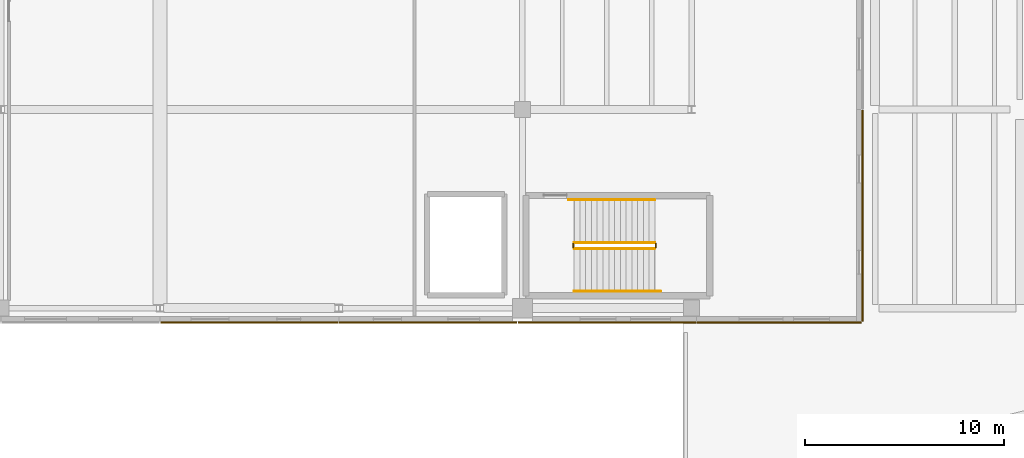
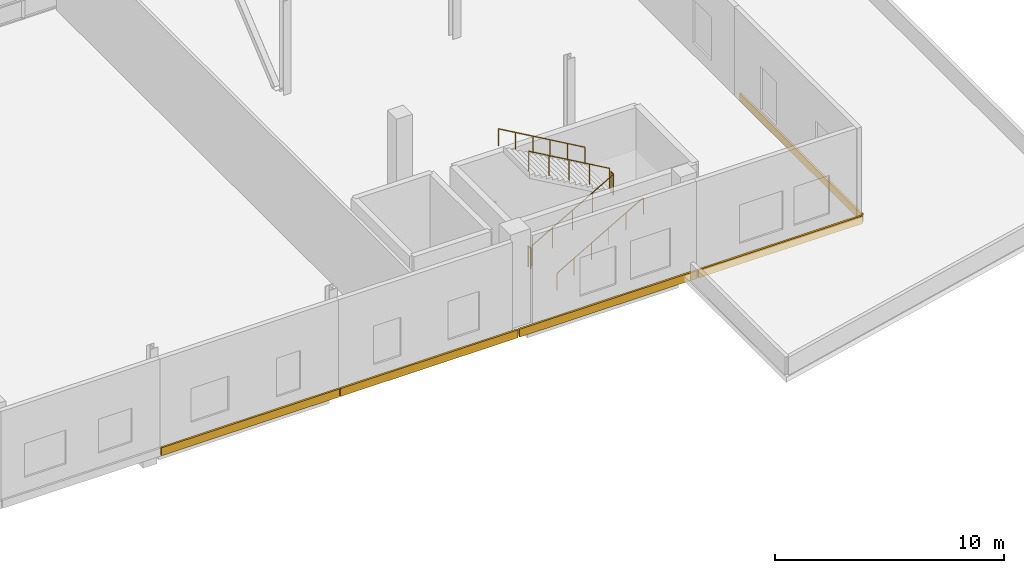
# One storey, part 72 of 73: 6 railings, 5 coverings.
"""IFC4 building model written with IfcOpenShell, lengths in metres."""

from ifc_helpers import new_model, si_unit, direction, frame, origin, origin_2d, place, context, subcontext, project, spatial, rectangle, circle, extrude, material, layer, layer_set, type_object, element, save


model = new_model("IFC4")

# Units and contexts
model_context = context("Model", 3, precision=1e-05, world=origin(), true_north=direction((0.0, 1.0)))
body_context = subcontext(model_context, "Body", "Model", "MODEL_VIEW")
ifc_project = project(units=[si_unit("LENGTHUNIT", "METRE"), si_unit("AREAUNIT", "SQUARE_METRE"), si_unit("VOLUMEUNIT", "CUBIC_METRE"), si_unit("PLANEANGLEUNIT", "RADIAN"), si_unit("MASSUNIT", "GRAM", prefix="KILO")], contexts=[model_context])

# Site, building, storey
site_placement = place(None, origin())
site = spatial("IfcSite", under=ifc_project, at=site_placement, CompositionType="ELEMENT")
building_placement = place(site_placement, origin())
building = spatial("IfcBuilding", under=site, at=building_placement, Name="Trimount Lyric Opera House", CompositionType="ELEMENT")
storey_placement = place(building_placement, frame((0.0, 0.0, 10.0)))
storey = spatial("IfcBuildingStorey", under=building, at=storey_placement, Name="L02", CompositionType="ELEMENT", Elevation=10.0)

# Coverings
ifc_material_1 = material(Name="Architectural Precast Concrete Spandrel Band", Category="concrete")
ifc_layer = layer(ifc_material_1, 0.094970703125)
ifc_layer_set = layer_set([ifc_layer], Name="CLD-WING1")
covering_type = type_object("IfcCoveringType", Name="CLD-WING1", PredefinedType="CLADDING", material=ifc_layer_set)
covering_1_placement = place(storey_placement, frame((165.361572265625, 48.659912109375, -0.369873046875), z_axis=(0.0, 0.0, 1.0), x_axis=(0.0, -1.0, 0.0)))
element("IfcCovering", 1, at=covering_1_placement, inside=storey, type_object=covering_type, Name="L02 precast slab-edge spandrel 229", PredefinedType="CLADDING", context=body_context, shape_type="SweptSolid", body=[
    extrude(rectangle(XDim=10.6201171875, YDim=0.094970703125, at=origin_2d()), origin(), (0.0, 0.0, 1.0), 0.419921875),
])
covering_2_placement = place(storey_placement, frame((161.159912109375, 43.278564453125, -0.369873046875), z_axis=(0.0, 0.0, 1.0), x_axis=(-1.0, 0.0, 0.0)))
element("IfcCovering", 2, at=covering_2_placement, inside=storey, type_object=covering_type, Name="L02 precast slab-edge spandrel 230", PredefinedType="CLADDING", context=body_context, shape_type="SweptSolid", body=[
    extrude(rectangle(XDim=8.260009765625, YDim=0.094970703125, at=origin_2d()), origin(), (0.0, 0.0, 1.0), 0.419921875),
])
for number, where, z_axis, x_axis, name in (
    (3, (152.5, 43.278564453125, -0.369873046875), (0.0, 0.0, 1.0), (-1.0, 0.0, 0.0), "L02 precast slab-edge spandrel 231"),
    (4, (143.5, 43.278564453125, -0.369873046875), (0.0, 0.0, 1.0), (-1.0, 0.0, 0.0), "L02 precast slab-edge spandrel 232"),
    (5, (134.5, 43.278564453125, -0.369873046875), (0.0, 0.0, 1.0), (-1.0, 0.0, 0.0), "L02 precast slab-edge spandrel 233"),
):
    element("IfcCovering", number, at=place(storey_placement, frame(where, z_axis=z_axis, x_axis=x_axis)), inside=storey, type_object=covering_type, Name=name, PredefinedType="CLADDING", context=body_context, shape_type="SweptSolid", body=[
        extrude(rectangle(XDim=8.93994140625, YDim=0.094970703125, at=origin_2d()), origin(), (0.0, 0.0, 1.0), 0.419921875),
    ])

# Railings
ifc_material_2 = material(Name="Brushed Stainless Steel 316", Category="steel")
railing_type_1 = type_object("IfcRailingType", Name="RL-GRD110", PredefinedType="GUARDRAIL", material=ifc_material_2)
railing_1_placement = place(storey_placement, frame((150.85009765625, 47.0, 0.166748046875)))
element("IfcRailing", 6, at=railing_1_placement, inside=storey, type_object=railing_type_1, Name="L02 ST-05 stair guard 1", PredefinedType="GUARDRAIL", context=body_context, shape_type="SweptSolid", body=[
    extrude(circle(Radius=0.02392578125, at=origin_2d()), frame((0.0, 0.0, 1.076171875), z_axis=(0.86701161382, 0.0, 0.498287930319), x_axis=(0.0, 1.0, 0.0)), (0.0, 0.0, 1.0), 4.6826171875),
    extrude(circle(Radius=0.02099609375, at=origin_2d()), origin(), (0.0, 0.0, 1.0), 1.052001953125),
    extrude(circle(Radius=0.02099609375, at=origin_2d()), frame((1.014892578125, 0.0, 0.583251953125)), (0.0, 0.0, 1.0), 1.052001953125),
    extrude(circle(Radius=0.02099609375, at=origin_2d()), frame((2.02978515625, 0.0, 1.16650390625)), (0.0, 0.0, 1.0), 1.052001953125),
    extrude(circle(Radius=0.02099609375, at=origin_2d()), frame((3.044921875, 0.0, 1.75)), (0.0, 0.0, 1.0), 1.052001953125),
    extrude(circle(Radius=0.02099609375, at=origin_2d()), frame((4.059814453125, 0.0, 2.333251953125)), (0.0, 0.0, 1.0), 1.052001953125),
])
railing_2_placement = place(storey_placement, frame((154.9599609375, 47.050048828125, 2.5)))
element("IfcRailing", 7, at=railing_2_placement, inside=storey, type_object=railing_type_1, Name="L02 ST-05 stair guard 2", PredefinedType="GUARDRAIL", context=body_context, shape_type="SweptSolid", body=[
    extrude(circle(Radius=0.02392578125, at=origin_2d()), frame((0.0, 0.0, 1.076171875), z_axis=(0.0, 1.0, 0.0), x_axis=(-1.0, 0.0, 0.0)), (0.0, 0.0, 1.0), 0.199951171875),
    extrude(circle(Radius=0.02099609375, at=origin_2d()), origin(), (0.0, 0.0, 1.0), 1.052001953125),
    extrude(circle(Radius=0.02099609375, at=origin_2d()), frame((0.0, 0.199951171875, 0.0)), (0.0, 0.0, 1.0), 1.052001953125),
])
railing_3_placement = place(storey_placement, frame((154.909912109375, 47.300048828125, 2.666748046875)))
element("IfcRailing", 8, at=railing_3_placement, inside=storey, type_object=railing_type_1, Name="L02 ST-05 stair guard 3", PredefinedType="GUARDRAIL", context=body_context, shape_type="SweptSolid", body=[
    extrude(circle(Radius=0.02392578125, at=origin_2d()), frame((0.0, 0.0, 1.076171875), z_axis=(-0.86701161382, 0.0, 0.498287930319), x_axis=(0.0, -1.0, 0.0)), (0.0, 0.0, 1.0), 4.6826171875),
    extrude(circle(Radius=0.02099609375, at=origin_2d()), origin(), (0.0, 0.0, 1.0), 1.052001953125),
    extrude(circle(Radius=0.02099609375, at=origin_2d()), frame((-1.014892578125, 0.0, 0.583251953125)), (0.0, 0.0, 1.0), 1.052001953125),
    extrude(circle(Radius=0.02099609375, at=origin_2d()), frame((-2.02978515625, 0.0, 1.16650390625)), (0.0, 0.0, 1.0), 1.052001953125),
    extrude(circle(Radius=0.02099609375, at=origin_2d()), frame((-3.044921875, 0.0, 1.75)), (0.0, 0.0, 1.0), 1.052001953125),
    extrude(circle(Radius=0.02099609375, at=origin_2d()), frame((-4.059814453125, 0.0, 2.333251953125)), (0.0, 0.0, 1.0), 1.052001953125),
])
railing_4_placement = place(storey_placement, frame((150.800048828125, 47.050048828125, 0.0)))
element("IfcRailing", 9, at=railing_4_placement, inside=storey, type_object=railing_type_1, Name="L02 ST-05 stair guard 4", PredefinedType="GUARDRAIL", context=body_context, shape_type="SweptSolid", body=[
    extrude(circle(Radius=0.02392578125, at=origin_2d()), frame((0.0, 0.0, 1.076171875), z_axis=(0.0, 1.0, 0.0), x_axis=(-1.0, 0.0, 0.0)), (0.0, 0.0, 1.0), 0.199951171875),
    extrude(circle(Radius=0.02099609375, at=origin_2d()), origin(), (0.0, 0.0, 1.0), 1.052001953125),
    extrude(circle(Radius=0.02099609375, at=origin_2d()), frame((0.0, 0.199951171875, 0.0)), (0.0, 0.0, 1.0), 1.052001953125),
])
ifc_material_3 = material(Name="Brushed Stainless Steel 316", Category="steel")
railing_type_2 = type_object("IfcRailingType", Name="RL-HND092", PredefinedType="HANDRAIL", material=ifc_material_3)
railing_5_placement = place(storey_placement, frame((150.85009765625, 44.85009765625, 0.166748046875)))
element("IfcRailing", 10, at=railing_5_placement, inside=storey, type_object=railing_type_2, Name="L02 ST-05 stair handrail 1", PredefinedType="HANDRAIL", context=body_context, shape_type="SweptSolid", body=[
    extrude(circle(Radius=0.0224609375, at=origin_2d()), frame((0.0, 0.0, 0.8974609375), z_axis=(0.866754379005, 0.0, 0.498735246875), x_axis=(0.0, 1.0, 0.0)), (0.0, 0.0, 1.0), 5.0185546875),
    extrude(circle(Radius=0.02099609375, at=origin_2d()), origin(), (0.0, 0.0, 1.0), 0.875),
    extrude(circle(Radius=0.02099609375, at=origin_2d()), frame((0.869873046875, 0.0, 0.50048828125)), (0.0, 0.0, 1.0), 0.875),
    extrude(circle(Radius=0.02099609375, at=origin_2d()), frame((1.739990234375, 0.0, 1.001220703125)), (0.0, 0.0, 1.0), 0.875),
    extrude(circle(Radius=0.02099609375, at=origin_2d()), frame((2.60986328125, 0.0, 1.501708984375)), (0.0, 0.0, 1.0), 0.875),
    extrude(circle(Radius=0.02099609375, at=origin_2d()), frame((3.47998046875, 0.0, 2.00244140625)), (0.0, 0.0, 1.0), 0.875),
    extrude(circle(Radius=0.02099609375, at=origin_2d()), frame((4.349853515625, 0.0, 2.5029296875)), (0.0, 0.0, 1.0), 0.875),
])
railing_6_placement = place(storey_placement, frame((154.909912109375, 49.449951171875, 2.666748046875)))
element("IfcRailing", 11, at=railing_6_placement, inside=storey, type_object=railing_type_2, Name="L02 ST-05 stair handrail 2", PredefinedType="HANDRAIL", context=body_context, shape_type="SweptSolid", body=[
    extrude(circle(Radius=0.0224609375, at=origin_2d()), frame((0.0, 0.0, 0.8974609375), z_axis=(-0.866754379005, 0.0, 0.498735246875), x_axis=(0.0, -1.0, 0.0)), (0.0, 0.0, 1.0), 5.0185546875),
    extrude(circle(Radius=0.02099609375, at=origin_2d()), origin(), (0.0, 0.0, 1.0), 0.875),
    extrude(circle(Radius=0.02099609375, at=origin_2d()), frame((-0.869873046875, 0.0, 0.50048828125)), (0.0, 0.0, 1.0), 0.875),
    extrude(circle(Radius=0.02099609375, at=origin_2d()), frame((-1.739990234375, 0.0, 1.001220703125)), (0.0, 0.0, 1.0), 0.875),
    extrude(circle(Radius=0.02099609375, at=origin_2d()), frame((-2.60986328125, 0.0, 1.501708984375)), (0.0, 0.0, 1.0), 0.875),
    extrude(circle(Radius=0.02099609375, at=origin_2d()), frame((-3.47998046875, 0.0, 2.00244140625)), (0.0, 0.0, 1.0), 0.875),
    extrude(circle(Radius=0.02099609375, at=origin_2d()), frame((-4.349853515625, 0.0, 2.5029296875)), (0.0, 0.0, 1.0), 0.875),
])

save(model, "model.ifc")
